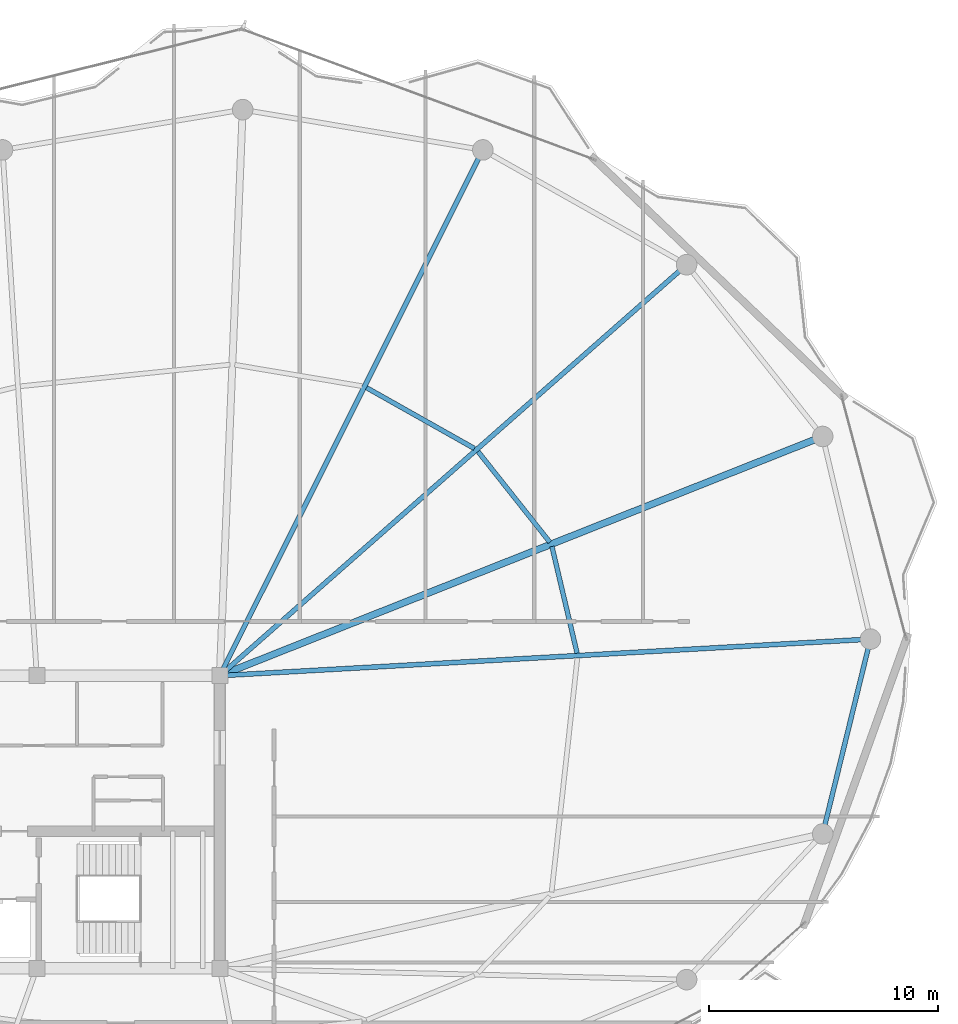
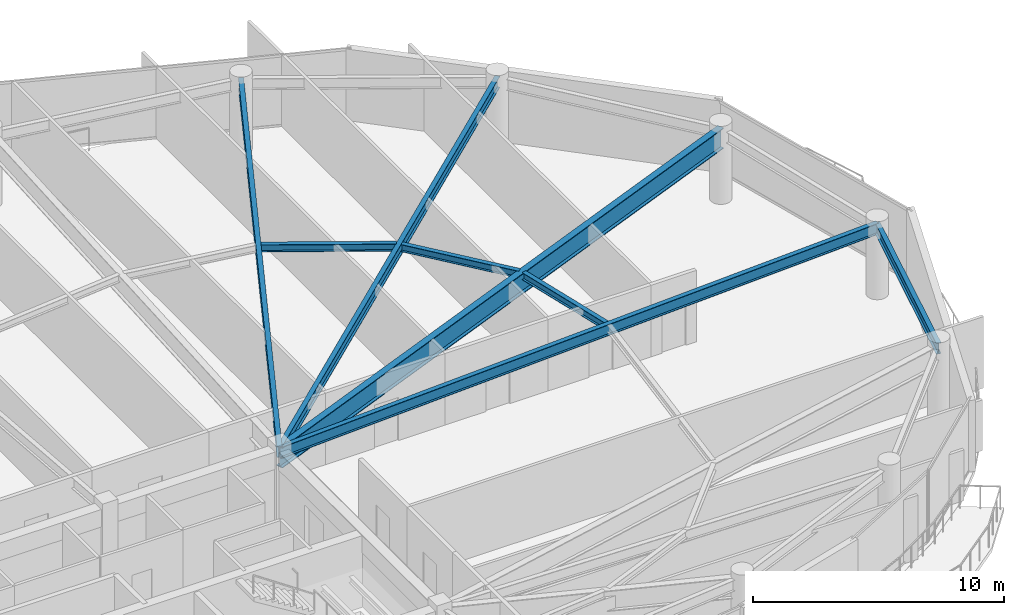
# One storey, part 16 of 29: 8 beams.
"""IFC4 building model written with IfcOpenShell, lengths in metres."""

from ifc_helpers import new_model, si_unit, direction, frame, origin, origin_2d, place, context, subcontext, project, spatial, i_section, extrude, material, material_profile, profile_set, type_object, element, save


model = new_model("IFC4")

# Units and contexts
model_context = context("Model", 3, precision=1e-05, world=origin(), true_north=direction((0.0, 1.0)))
body_context = subcontext(model_context, "Body", "Model", "MODEL_VIEW")
ifc_project = project(units=[si_unit("LENGTHUNIT", "METRE"), si_unit("AREAUNIT", "SQUARE_METRE"), si_unit("VOLUMEUNIT", "CUBIC_METRE"), si_unit("PLANEANGLEUNIT", "RADIAN"), si_unit("MASSUNIT", "GRAM", prefix="KILO")], contexts=[model_context])

# Site, building, storey
site_placement = place(None, origin())
site = spatial("IfcSite", under=ifc_project, at=site_placement, CompositionType="ELEMENT")
building_placement = place(site_placement, origin())
building = spatial("IfcBuilding", under=site, at=building_placement, Name="Kazevale Care Tower and Concert Hall", CompositionType="ELEMENT")
storey_placement = place(building_placement, frame((0.0, 0.0, 289.0)))
storey = spatial("IfcBuildingStorey", under=building, at=storey_placement, Name="L76", CompositionType="ELEMENT", Elevation=289.0)

# Beams
ifc_material = material(Name="Steel ASTM A572 Gr 50", Category="steel")
ifc_material_profile_1 = material_profile(ifc_material, i_section(OverallWidth=0.300048828125, OverallDepth=1.0, WebThickness=0.02099609375, FlangeThickness=0.035888671875, at=origin_2d()), Name="W1000x371")
ifc_profile_set_1 = profile_set([ifc_material_profile_1], Name="Steel ASTM A572 Gr 50")
beam_type_1 = type_object("IfcBeamType", Name="Crown Radial Girder W1000x371", PredefinedType="BEAM", material=ifc_profile_set_1)
beam_1_placement = place(storey_placement, frame((44.0, 36.39990234375, 2.97998046875), z_axis=(0.929492585064, 0.368840798057, 0.0), x_axis=(-0.368840798057, 0.929492585064, 0.0)))
element("IfcBeam", 1, at=beam_1_placement, inside=storey, type_object=beam_type_1, Name="beam:L76:crowntg:1", PredefinedType="BEAM", context=body_context, shape_type="SweptSolid", body=[
    extrude(i_section(OverallWidth=0.300048828125, OverallDepth=1.0, WebThickness=0.02099609375, FlangeThickness=0.035888671875, at=origin_2d()), origin(), (0.0, 0.0, 1.0), 28.359619140625),
])
ifc_material_profile_2 = material_profile(ifc_material, i_section(OverallWidth=0.2119140625, OverallDepth=0.5439453125, WebThickness=0.01318359375, FlangeThickness=0.021240234375, at=origin_2d()), Name="W530x123")
ifc_profile_set_2 = profile_set([ifc_material_profile_2], Name="Steel ASTM A572 Gr 50")
beam_type_2 = type_object("IfcBeamType", Name="Radial Floor Girder W530x123", PredefinedType="BEAM", material=ifc_profile_set_2)
beam_2_placement = place(storey_placement, frame((44.0, 36.39990234375, 3.2080078125), z_axis=(0.998422130452, 0.056153801503, 0.0), x_axis=(-0.056153801503, 0.998422130452, 0.0)))
element("IfcBeam", 2, at=beam_2_placement, inside=storey, type_object=beam_type_2, Name="beam:L76:rad:01", PredefinedType="BEAM", context=body_context, shape_type="SweptSolid", body=[
    extrude(i_section(OverallWidth=0.2119140625, OverallDepth=0.5439453125, WebThickness=0.01318359375, FlangeThickness=0.021240234375, at=origin_2d()), origin(), (0.0, 0.0, 1.0), 28.494873046875),
])
beam_3_placement = place(storey_placement, frame((44.0, 36.39990234375, 3.2080078125), z_axis=(0.750540377871, 0.660824591844, 0.0), x_axis=(-0.660824591844, 0.750540377871, 0.0)))
element("IfcBeam", 3, at=beam_3_placement, inside=storey, type_object=beam_type_2, Name="beam:L76:rad:03", PredefinedType="BEAM", context=body_context, shape_type="SweptSolid", body=[
    extrude(i_section(OverallWidth=0.2119140625, OverallDepth=0.5439453125, WebThickness=0.01318359375, FlangeThickness=0.021240234375, at=origin_2d()), origin(), (0.0, 0.0, 1.0), 27.193603515625),
])
beam_4_placement = place(storey_placement, frame((44.0, 36.39990234375, 3.2080078125), z_axis=(0.447369347408, 0.894349298093, 0.0), x_axis=(-0.894349298093, 0.447369347408, 0.0)))
element("IfcBeam", 4, at=beam_4_placement, inside=storey, type_object=beam_type_2, Name="beam:L76:rad:04", PredefinedType="BEAM", context=body_context, shape_type="SweptSolid", body=[
    extrude(i_section(OverallWidth=0.2119140625, OverallDepth=0.5439453125, WebThickness=0.01318359375, FlangeThickness=0.021240234375, at=origin_2d()), origin(), (0.0, 0.0, 1.0), 25.705810546875),
])
ifc_material_profile_3 = material_profile(ifc_material, i_section(OverallWidth=0.205078125, OverallDepth=0.35400390625, WebThickness=0.009521484375, FlangeThickness=0.016845703125, at=origin_2d()), Name="W360x79")
ifc_profile_set_3 = profile_set([ifc_material_profile_3], Name="Steel ASTM A572 Gr 50")
beam_type_3 = type_object("IfcBeamType", Name="Secondary Floor Joist W360x79", PredefinedType="JOIST", material=ifc_profile_set_3)
beam_5_placement = place(storey_placement, frame((59.623046875, 37.382080078125, 3.302978515625), z_axis=(-0.2295328947, 0.973300904269, 0.0), x_axis=(-0.973300904269, -0.2295328947, 0.0)))
element("IfcBeam", 5, at=beam_5_placement, inside=storey, type_object=beam_type_3, Name="beam:L76:joist:01", PredefinedType="JOIST", context=body_context, shape_type="SweptSolid", body=[
    extrude(i_section(OverallWidth=0.205078125, OverallDepth=0.35400390625, WebThickness=0.009521484375, FlangeThickness=0.016845703125, at=origin_2d()), origin(), (0.0, 0.0, 1.0), 4.797119140625),
])
beam_6_placement = place(storey_placement, frame((58.43310546875, 42.235107421875, 3.302978515625), z_axis=(-0.621004461172, 0.783807029315, 0.0), x_axis=(-0.783807029315, -0.621004461172, 0.0)))
element("IfcBeam", 6, at=beam_6_placement, inside=storey, type_object=beam_type_3, Name="beam:L76:joist:02", PredefinedType="JOIST", context=body_context, shape_type="SweptSolid", body=[
    extrude(i_section(OverallWidth=0.205078125, OverallDepth=0.35400390625, WebThickness=0.009521484375, FlangeThickness=0.016845703125, at=origin_2d()), origin(), (0.0, 0.0, 1.0), 5.0595703125),
])
beam_7_placement = place(storey_placement, frame((55.134033203125, 46.3349609375, 3.302978515625), z_axis=(-0.871253873352, 0.490832647823, 0.0), x_axis=(-0.490832647823, -0.871253873352, 0.0)))
element("IfcBeam", 7, at=beam_7_placement, inside=storey, type_object=beam_type_3, Name="beam:L76:joist:03", PredefinedType="JOIST", context=body_context, shape_type="SweptSolid", body=[
    extrude(i_section(OverallWidth=0.205078125, OverallDepth=0.35400390625, WebThickness=0.009521484375, FlangeThickness=0.016845703125, at=origin_2d()), origin(), (0.0, 0.0, 1.0), 5.415283203125),
])
ifc_material_profile_4 = material_profile(ifc_material, i_section(OverallWidth=0.208984375, OverallDepth=0.532958984375, WebThickness=0.01025390625, FlangeThickness=0.015625, at=origin_2d()), Name="W530x92")
ifc_profile_set_4 = profile_set([ifc_material_profile_4], Name="Steel ASTM A572 Gr 50")
beam_type_4 = type_object("IfcBeamType", Name="Upper Ring Beam W530x92", PredefinedType="BEAM", material=ifc_profile_set_4)
beam_8_placement = place(storey_placement, frame((70.360107421875, 29.47998046875, 3.21337890625), z_axis=(0.238224499566, 0.971210115169, 0.0), x_axis=(-0.971210115169, 0.238224499566, 0.0)))
element("IfcBeam", 8, at=beam_8_placement, inside=storey, type_object=beam_type_4, Name="beam:L76:ring:16", PredefinedType="BEAM", context=body_context, shape_type="SweptSolid", body=[
    extrude(i_section(OverallWidth=0.208984375, OverallDepth=0.532958984375, WebThickness=0.01025390625, FlangeThickness=0.015625, at=origin_2d()), origin(), (0.0, 0.0, 1.0), 8.7724609375),
])

save(model, "model.ifc")
